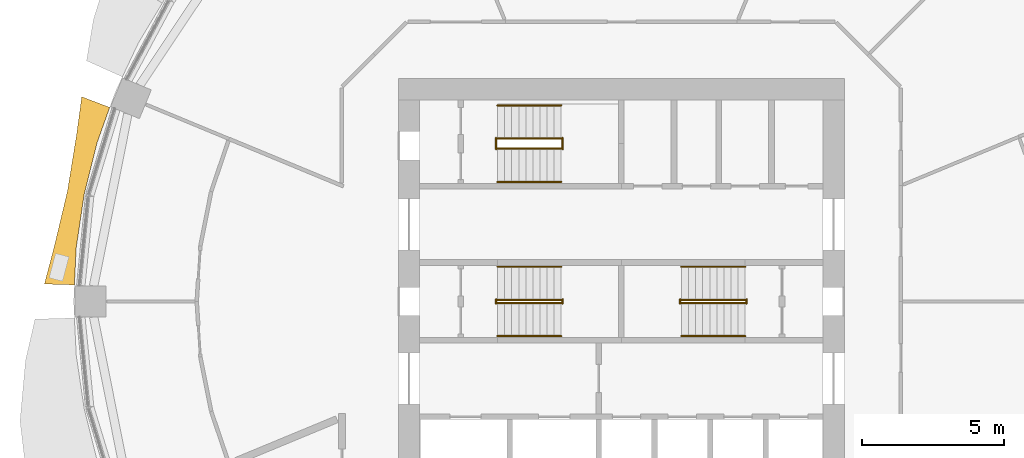
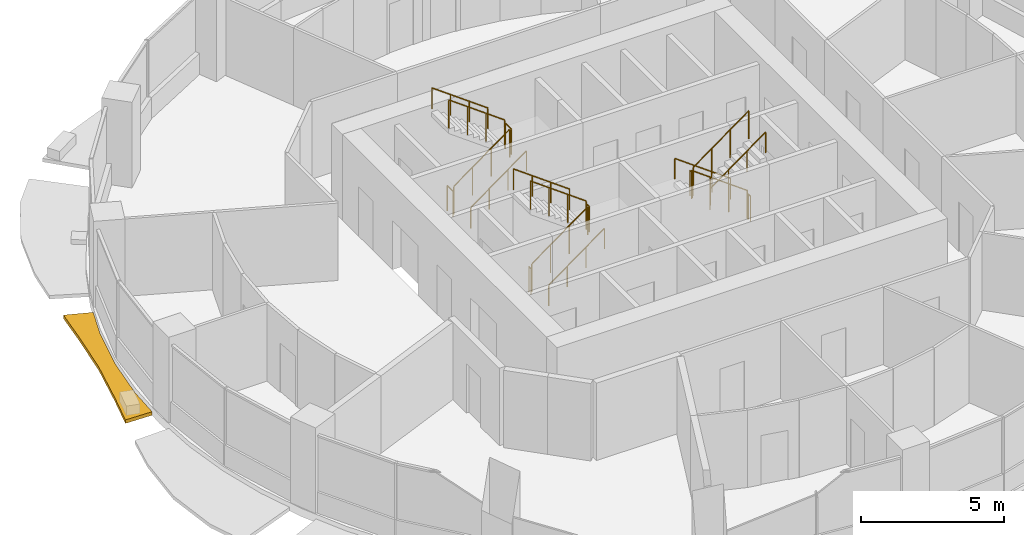
# One storey, part 13 of 15: 18 railings, 1 shading device.
"""IFC4 building model written with IfcOpenShell, lengths in metres."""

from ifc_helpers import new_model, si_unit, direction, frame, origin, origin_2d, place, context, subcontext, project, spatial, polyline, circle, outline, extrude, material, type_object, element, save


model = new_model("IFC4")

# Units and contexts
model_context = context("Model", 3, precision=1e-05, world=origin(), true_north=direction((0.0, 1.0)))
body_context = subcontext(model_context, "Body", "Model", "MODEL_VIEW")
ifc_project = project(units=[si_unit("LENGTHUNIT", "METRE"), si_unit("AREAUNIT", "SQUARE_METRE"), si_unit("VOLUMEUNIT", "CUBIC_METRE"), si_unit("PLANEANGLEUNIT", "RADIAN"), si_unit("MASSUNIT", "GRAM", prefix="KILO")], contexts=[model_context])

# Site, building, storey
site_placement = place(None, origin())
site = spatial("IfcSite", under=ifc_project, at=site_placement, CompositionType="ELEMENT")
building_placement = place(site_placement, origin())
building = spatial("IfcBuilding", under=site, at=building_placement, Name="Polderwave Tower", CompositionType="ELEMENT")
storey_placement = place(building_placement, frame((0.0, 0.0, 83.699951171875)))
storey = spatial("IfcBuildingStorey", under=building, at=storey_placement, Name="L21", CompositionType="ELEMENT", Elevation=83.699951171875)

# Railings
ifc_material_1 = material(Name="Stainless steel", Category="steel")
railing_type_1 = type_object("IfcRailingType", Name="Stair guard 1100", PredefinedType="GUARDRAIL", material=ifc_material_1)
railing_1_placement = place(storey_placement, frame((-4.3740234375, -0.051025390625, 0.0625)))
element("IfcRailing", 1, at=railing_1_placement, inside=storey, type_object=railing_type_1, Name="L21 ST-A stair guard 1", PredefinedType="GUARDRAIL", context=body_context, shape_type="SweptSolid", body=[
    extrude(circle(Radius=0.02392578125, at=origin_2d()), frame((0.0, 0.0, 1.1962890625), z_axis=(0.807715371301, 0.0, 0.589572623995), x_axis=(0.0, 1.0, 0.0)), (0.0, 0.0, 1.0), 2.78564453125),
    extrude(circle(Radius=0.02392578125, at=origin_2d()), origin(), (0.0, 0.0, 1.0), 1.172119140625),
    extrude(circle(Radius=0.02392578125, at=origin_2d()), frame((0.75, 0.0, 0.54736328125)), (0.0, 0.0, 1.0), 1.172119140625),
    extrude(circle(Radius=0.02392578125, at=origin_2d()), frame((1.5, 0.0, 1.094970703125)), (0.0, 0.0, 1.0), 1.172119140625),
    extrude(circle(Radius=0.02392578125, at=origin_2d()), frame((2.25, 0.0, 1.642333984375)), (0.0, 0.0, 1.0), 1.172119140625),
])
railing_2_placement = place(storey_placement, frame((-2.073974609375, -0.074951171875, 1.824951171875)))
element("IfcRailing", 2, at=railing_2_placement, inside=storey, type_object=railing_type_1, Name="L21 ST-A stair guard 2", PredefinedType="GUARDRAIL", context=body_context, shape_type="SweptSolid", body=[
    extrude(circle(Radius=0.02392578125, at=origin_2d()), frame((0.0, 0.0, 1.076171875), z_axis=(0.0, 1.0, 0.0), x_axis=(-1.0, 0.0, 0.0)), (0.0, 0.0, 1.0), 0.14990234375),
    extrude(circle(Radius=0.02099609375, at=origin_2d()), origin(), (0.0, 0.0, 1.0), 1.052001953125),
    extrude(circle(Radius=0.02099609375, at=origin_2d()), frame((0.0, 0.14990234375, 0.0)), (0.0, 0.0, 1.0), 1.052001953125),
])
railing_3_placement = place(storey_placement, frame((-2.1240234375, 0.051025390625, 1.887451171875)))
element("IfcRailing", 3, at=railing_3_placement, inside=storey, type_object=railing_type_1, Name="L21 ST-A stair guard 3", PredefinedType="GUARDRAIL", context=body_context, shape_type="SweptSolid", body=[
    extrude(circle(Radius=0.02392578125, at=origin_2d()), frame((0.0, 0.0, 1.1962890625), z_axis=(-0.807673635365, 0.0, 0.58962979804), x_axis=(0.0, -1.0, 0.0)), (0.0, 0.0, 1.0), 2.785888671875),
    extrude(circle(Radius=0.02392578125, at=origin_2d()), origin(), (0.0, 0.0, 1.0), 1.172119140625),
    extrude(circle(Radius=0.02392578125, at=origin_2d()), frame((-0.75, 0.0, 0.547607421875)), (0.0, 0.0, 1.0), 1.172119140625),
    extrude(circle(Radius=0.02392578125, at=origin_2d()), frame((-1.5, 0.0, 1.094970703125)), (0.0, 0.0, 1.0), 1.172119140625),
    extrude(circle(Radius=0.02392578125, at=origin_2d()), frame((-2.25, 0.0, 1.642578125)), (0.0, 0.0, 1.0), 1.172119140625),
])
railing_4_placement = place(storey_placement, frame((-4.424072265625, -0.074951171875, 0.0)))
element("IfcRailing", 4, at=railing_4_placement, inside=storey, type_object=railing_type_1, Name="L21 ST-A stair guard 4", PredefinedType="GUARDRAIL", context=body_context, shape_type="SweptSolid", body=[
    extrude(circle(Radius=0.02392578125, at=origin_2d()), frame((0.0, 0.0, 1.076171875), z_axis=(0.0, 1.0, 0.0), x_axis=(-1.0, 0.0, 0.0)), (0.0, 0.0, 1.0), 0.14990234375),
    extrude(circle(Radius=0.02099609375, at=origin_2d()), origin(), (0.0, 0.0, 1.0), 1.052001953125),
    extrude(circle(Radius=0.02099609375, at=origin_2d()), frame((0.0, 0.14990234375, 0.0)), (0.0, 0.0, 1.0), 1.052001953125),
])
railing_5_placement = place(storey_placement, frame((4.3740234375, 0.051025390625, 0.0625)))
element("IfcRailing", 5, at=railing_5_placement, inside=storey, type_object=railing_type_1, Name="L21 ST-B stair guard 1", PredefinedType="GUARDRAIL", context=body_context, shape_type="SweptSolid", body=[
    extrude(circle(Radius=0.02392578125, at=origin_2d()), frame((0.0, 0.0, 1.1962890625), z_axis=(-0.807715371301, 0.0, 0.589572623995), x_axis=(0.0, -1.0, 0.0)), (0.0, 0.0, 1.0), 2.78564453125),
    extrude(circle(Radius=0.02392578125, at=origin_2d()), origin(), (0.0, 0.0, 1.0), 1.172119140625),
    extrude(circle(Radius=0.02392578125, at=origin_2d()), frame((-0.75, 0.0, 0.54736328125)), (0.0, 0.0, 1.0), 1.172119140625),
    extrude(circle(Radius=0.02392578125, at=origin_2d()), frame((-1.5, 0.0, 1.094970703125)), (0.0, 0.0, 1.0), 1.172119140625),
    extrude(circle(Radius=0.02392578125, at=origin_2d()), frame((-2.25, 0.0, 1.642333984375)), (0.0, 0.0, 1.0), 1.172119140625),
])
railing_6_placement = place(storey_placement, frame((2.073974609375, 0.074951171875, 1.824951171875)))
element("IfcRailing", 6, at=railing_6_placement, inside=storey, type_object=railing_type_1, Name="L21 ST-B stair guard 2", PredefinedType="GUARDRAIL", context=body_context, shape_type="SweptSolid", body=[
    extrude(circle(Radius=0.02392578125, at=origin_2d()), frame((0.0, 0.0, 1.076171875), z_axis=(0.0, -1.0, 0.0), x_axis=(1.0, 0.0, 0.0)), (0.0, 0.0, 1.0), 0.14990234375),
    extrude(circle(Radius=0.02099609375, at=origin_2d()), origin(), (0.0, 0.0, 1.0), 1.052001953125),
    extrude(circle(Radius=0.02099609375, at=origin_2d()), frame((0.0, -0.14990234375, 0.0)), (0.0, 0.0, 1.0), 1.052001953125),
])
railing_7_placement = place(storey_placement, frame((2.1240234375, -0.051025390625, 1.887451171875)))
element("IfcRailing", 7, at=railing_7_placement, inside=storey, type_object=railing_type_1, Name="L21 ST-B stair guard 3", PredefinedType="GUARDRAIL", context=body_context, shape_type="SweptSolid", body=[
    extrude(circle(Radius=0.02392578125, at=origin_2d()), frame((0.0, 0.0, 1.1962890625), z_axis=(0.807673635365, 0.0, 0.58962979804), x_axis=(0.0, 1.0, 0.0)), (0.0, 0.0, 1.0), 2.785888671875),
    extrude(circle(Radius=0.02392578125, at=origin_2d()), origin(), (0.0, 0.0, 1.0), 1.172119140625),
    extrude(circle(Radius=0.02392578125, at=origin_2d()), frame((0.75, 0.0, 0.547607421875)), (0.0, 0.0, 1.0), 1.172119140625),
    extrude(circle(Radius=0.02392578125, at=origin_2d()), frame((1.5, 0.0, 1.094970703125)), (0.0, 0.0, 1.0), 1.172119140625),
    extrude(circle(Radius=0.02392578125, at=origin_2d()), frame((2.25, 0.0, 1.642578125)), (0.0, 0.0, 1.0), 1.172119140625),
])
railing_8_placement = place(storey_placement, frame((4.424072265625, 0.074951171875, 0.0)))
element("IfcRailing", 8, at=railing_8_placement, inside=storey, type_object=railing_type_1, Name="L21 ST-B stair guard 4", PredefinedType="GUARDRAIL", context=body_context, shape_type="SweptSolid", body=[
    extrude(circle(Radius=0.02392578125, at=origin_2d()), frame((0.0, 0.0, 1.076171875), z_axis=(0.0, -1.0, 0.0), x_axis=(1.0, 0.0, 0.0)), (0.0, 0.0, 1.0), 0.14990234375),
    extrude(circle(Radius=0.02099609375, at=origin_2d()), origin(), (0.0, 0.0, 1.0), 1.052001953125),
    extrude(circle(Radius=0.02099609375, at=origin_2d()), frame((0.0, -0.14990234375, 0.0)), (0.0, 0.0, 1.0), 1.052001953125),
])
railing_9_placement = place(storey_placement, frame((-4.3740234375, 5.39794921875, 0.0625)))
element("IfcRailing", 9, at=railing_9_placement, inside=storey, type_object=railing_type_1, Name="L21 ST-C stair guard 1", PredefinedType="GUARDRAIL", context=body_context, shape_type="SweptSolid", body=[
    extrude(circle(Radius=0.02392578125, at=origin_2d()), frame((0.0, 0.0, 1.1962890625), z_axis=(0.807715371301, 0.0, 0.589572623995), x_axis=(0.0, 1.0, 0.0)), (0.0, 0.0, 1.0), 2.78564453125),
    extrude(circle(Radius=0.02392578125, at=origin_2d()), origin(), (0.0, 0.0, 1.0), 1.172119140625),
    extrude(circle(Radius=0.02392578125, at=origin_2d()), frame((0.75, 0.0, 0.54736328125)), (0.0, 0.0, 1.0), 1.172119140625),
    extrude(circle(Radius=0.02392578125, at=origin_2d()), frame((1.5, 0.0, 1.094970703125)), (0.0, 0.0, 1.0), 1.172119140625),
    extrude(circle(Radius=0.02392578125, at=origin_2d()), frame((2.25, 0.0, 1.642333984375)), (0.0, 0.0, 1.0), 1.172119140625),
])
railing_10_placement = place(storey_placement, frame((-2.073974609375, 5.3740234375, 1.824951171875)))
element("IfcRailing", 10, at=railing_10_placement, inside=storey, type_object=railing_type_1, Name="L21 ST-C stair guard 2", PredefinedType="GUARDRAIL", context=body_context, shape_type="SweptSolid", body=[
    extrude(circle(Radius=0.02392578125, at=origin_2d()), frame((0.0, 0.0, 1.076171875), z_axis=(0.0, 1.0, 0.0), x_axis=(-1.0, 0.0, 0.0)), (0.0, 0.0, 1.0), 0.39990234375),
    extrude(circle(Radius=0.02099609375, at=origin_2d()), origin(), (0.0, 0.0, 1.0), 1.052001953125),
    extrude(circle(Radius=0.02099609375, at=origin_2d()), frame((0.0, 0.39990234375, 0.0)), (0.0, 0.0, 1.0), 1.052001953125),
])
railing_11_placement = place(storey_placement, frame((-2.1240234375, 5.75, 1.887451171875)))
element("IfcRailing", 11, at=railing_11_placement, inside=storey, type_object=railing_type_1, Name="L21 ST-C stair guard 3", PredefinedType="GUARDRAIL", context=body_context, shape_type="SweptSolid", body=[
    extrude(circle(Radius=0.02392578125, at=origin_2d()), frame((0.0, 0.0, 1.1962890625), z_axis=(-0.807673635365, 0.0, 0.58962979804), x_axis=(0.0, -1.0, 0.0)), (0.0, 0.0, 1.0), 2.785888671875),
    extrude(circle(Radius=0.02392578125, at=origin_2d()), origin(), (0.0, 0.0, 1.0), 1.172119140625),
    extrude(circle(Radius=0.02392578125, at=origin_2d()), frame((-0.75, 0.0, 0.547607421875)), (0.0, 0.0, 1.0), 1.172119140625),
    extrude(circle(Radius=0.02392578125, at=origin_2d()), frame((-1.5, 0.0, 1.094970703125)), (0.0, 0.0, 1.0), 1.172119140625),
    extrude(circle(Radius=0.02392578125, at=origin_2d()), frame((-2.25, 0.0, 1.642578125)), (0.0, 0.0, 1.0), 1.172119140625),
])
railing_12_placement = place(storey_placement, frame((-4.424072265625, 5.3740234375, 0.0)))
element("IfcRailing", 12, at=railing_12_placement, inside=storey, type_object=railing_type_1, Name="L21 ST-C stair guard 4", PredefinedType="GUARDRAIL", context=body_context, shape_type="SweptSolid", body=[
    extrude(circle(Radius=0.02392578125, at=origin_2d()), frame((0.0, 0.0, 1.076171875), z_axis=(0.0, 1.0, 0.0), x_axis=(-1.0, 0.0, 0.0)), (0.0, 0.0, 1.0), 0.39990234375),
    extrude(circle(Radius=0.02099609375, at=origin_2d()), origin(), (0.0, 0.0, 1.0), 1.052001953125),
    extrude(circle(Radius=0.02099609375, at=origin_2d()), frame((0.0, 0.39990234375, 0.0)), (0.0, 0.0, 1.0), 1.052001953125),
])
railing_type_2 = type_object("IfcRailingType", Name="Stair handrail 900", PredefinedType="HANDRAIL", material=ifc_material_1)
railing_13_placement = place(storey_placement, frame((-4.3740234375, -1.22509765625, 0.1826171875)))
element("IfcRailing", 13, at=railing_13_placement, inside=storey, type_object=railing_type_2, Name="L21 ST-A stair handrail 1", PredefinedType="HANDRAIL", context=body_context, shape_type="SweptSolid", body=[
    extrude(circle(Radius=0.02392578125, at=origin_2d()), frame((0.0, 0.0, 0.8759765625), z_axis=(0.807715371301, 0.0, 0.589572623995), x_axis=(0.0, 1.0, 0.0)), (0.0, 0.0, 1.0), 2.78564453125),
    extrude(circle(Radius=0.02099609375, at=origin_2d()), origin(), (0.0, 0.0, 1.0), 0.851806640625),
    extrude(circle(Radius=0.02099609375, at=origin_2d()), frame((0.75, 0.0, 0.54736328125)), (0.0, 0.0, 1.0), 0.851806640625),
    extrude(circle(Radius=0.02099609375, at=origin_2d()), frame((1.5, 0.0, 1.094970703125)), (0.0, 0.0, 1.0), 0.851806640625),
    extrude(circle(Radius=0.02099609375, at=origin_2d()), frame((2.25, 0.0, 1.642333984375)), (0.0, 0.0, 1.0), 0.851806640625),
])
railing_14_placement = place(storey_placement, frame((-2.1240234375, 1.22509765625, 2.007568359375)))
element("IfcRailing", 14, at=railing_14_placement, inside=storey, type_object=railing_type_2, Name="L21 ST-A stair handrail 2", PredefinedType="HANDRAIL", context=body_context, shape_type="SweptSolid", body=[
    extrude(circle(Radius=0.02392578125, at=origin_2d()), frame((0.0, 0.0, 0.8759765625), z_axis=(-0.807673635365, 0.0, 0.58962979804), x_axis=(0.0, -1.0, 0.0)), (0.0, 0.0, 1.0), 2.785888671875),
    extrude(circle(Radius=0.02099609375, at=origin_2d()), origin(), (0.0, 0.0, 1.0), 0.851806640625),
    extrude(circle(Radius=0.02099609375, at=origin_2d()), frame((-0.75, 0.0, 0.547607421875)), (0.0, 0.0, 1.0), 0.851806640625),
    extrude(circle(Radius=0.02099609375, at=origin_2d()), frame((-1.5, 0.0, 1.094970703125)), (0.0, 0.0, 1.0), 0.851806640625),
    extrude(circle(Radius=0.02099609375, at=origin_2d()), frame((-2.25, 0.0, 1.642578125)), (0.0, 0.0, 1.0), 0.851806640625),
])
railing_15_placement = place(storey_placement, frame((4.3740234375, 1.22509765625, 0.1826171875)))
element("IfcRailing", 15, at=railing_15_placement, inside=storey, type_object=railing_type_2, Name="L21 ST-B stair handrail 1", PredefinedType="HANDRAIL", context=body_context, shape_type="SweptSolid", body=[
    extrude(circle(Radius=0.02392578125, at=origin_2d()), frame((0.0, 0.0, 0.8759765625), z_axis=(-0.807715371301, 0.0, 0.589572623995), x_axis=(0.0, -1.0, 0.0)), (0.0, 0.0, 1.0), 2.78564453125),
    extrude(circle(Radius=0.02099609375, at=origin_2d()), origin(), (0.0, 0.0, 1.0), 0.851806640625),
    extrude(circle(Radius=0.02099609375, at=origin_2d()), frame((-0.75, 0.0, 0.54736328125)), (0.0, 0.0, 1.0), 0.851806640625),
    extrude(circle(Radius=0.02099609375, at=origin_2d()), frame((-1.5, 0.0, 1.094970703125)), (0.0, 0.0, 1.0), 0.851806640625),
    extrude(circle(Radius=0.02099609375, at=origin_2d()), frame((-2.25, 0.0, 1.642333984375)), (0.0, 0.0, 1.0), 0.851806640625),
])
railing_16_placement = place(storey_placement, frame((2.1240234375, -1.22509765625, 2.007568359375)))
element("IfcRailing", 16, at=railing_16_placement, inside=storey, type_object=railing_type_2, Name="L21 ST-B stair handrail 2", PredefinedType="HANDRAIL", context=body_context, shape_type="SweptSolid", body=[
    extrude(circle(Radius=0.02392578125, at=origin_2d()), frame((0.0, 0.0, 0.8759765625), z_axis=(0.807673635365, 0.0, 0.58962979804), x_axis=(0.0, 1.0, 0.0)), (0.0, 0.0, 1.0), 2.785888671875),
    extrude(circle(Radius=0.02099609375, at=origin_2d()), origin(), (0.0, 0.0, 1.0), 0.851806640625),
    extrude(circle(Radius=0.02099609375, at=origin_2d()), frame((0.75, 0.0, 0.547607421875)), (0.0, 0.0, 1.0), 0.851806640625),
    extrude(circle(Radius=0.02099609375, at=origin_2d()), frame((1.5, 0.0, 1.094970703125)), (0.0, 0.0, 1.0), 0.851806640625),
    extrude(circle(Radius=0.02099609375, at=origin_2d()), frame((2.25, 0.0, 1.642578125)), (0.0, 0.0, 1.0), 0.851806640625),
])
railing_17_placement = place(storey_placement, frame((-4.3740234375, 4.22412109375, 0.1826171875)))
element("IfcRailing", 17, at=railing_17_placement, inside=storey, type_object=railing_type_2, Name="L21 ST-C stair handrail 1", PredefinedType="HANDRAIL", context=body_context, shape_type="SweptSolid", body=[
    extrude(circle(Radius=0.02392578125, at=origin_2d()), frame((0.0, 0.0, 0.8759765625), z_axis=(0.807715371301, 0.0, 0.589572623995), x_axis=(0.0, 1.0, 0.0)), (0.0, 0.0, 1.0), 2.78564453125),
    extrude(circle(Radius=0.02099609375, at=origin_2d()), origin(), (0.0, 0.0, 1.0), 0.851806640625),
    extrude(circle(Radius=0.02099609375, at=origin_2d()), frame((0.75, 0.0, 0.54736328125)), (0.0, 0.0, 1.0), 0.851806640625),
    extrude(circle(Radius=0.02099609375, at=origin_2d()), frame((1.5, 0.0, 1.094970703125)), (0.0, 0.0, 1.0), 0.851806640625),
    extrude(circle(Radius=0.02099609375, at=origin_2d()), frame((2.25, 0.0, 1.642333984375)), (0.0, 0.0, 1.0), 0.851806640625),
])
railing_18_placement = place(storey_placement, frame((-2.1240234375, 6.924072265625, 2.007568359375)))
element("IfcRailing", 18, at=railing_18_placement, inside=storey, type_object=railing_type_2, Name="L21 ST-C stair handrail 2", PredefinedType="HANDRAIL", context=body_context, shape_type="SweptSolid", body=[
    extrude(circle(Radius=0.02392578125, at=origin_2d()), frame((0.0, 0.0, 0.8759765625), z_axis=(-0.807673635365, 0.0, 0.58962979804), x_axis=(0.0, -1.0, 0.0)), (0.0, 0.0, 1.0), 2.785888671875),
    extrude(circle(Radius=0.02099609375, at=origin_2d()), origin(), (0.0, 0.0, 1.0), 0.851806640625),
    extrude(circle(Radius=0.02099609375, at=origin_2d()), frame((-0.75, 0.0, 0.547607421875)), (0.0, 0.0, 1.0), 0.851806640625),
    extrude(circle(Radius=0.02099609375, at=origin_2d()), frame((-1.5, 0.0, 1.094970703125)), (0.0, 0.0, 1.0), 0.851806640625),
    extrude(circle(Radius=0.02099609375, at=origin_2d()), frame((-2.25, 0.0, 1.642578125)), (0.0, 0.0, 1.0), 0.851806640625),
])

# Shading device
ifc_material_2 = material(Name="Terracotta", Category="masonry")
shading_device_type = type_object("IfcShadingDeviceType", Name="Terracotta sunshade band", PredefinedType="USERDEFINED", material=ifc_material_2)
shading_device_placement = place(storey_placement, frame((0.0, 0.0, -0.349853515625)))
element("IfcShadingDevice", 19, at=shading_device_placement, inside=storey, type_object=shading_device_type, Name="Sunshade band L21 8", ObjectType="SUNSHADE", PredefinedType="USERDEFINED", context=body_context, shape_type="SweptSolid", body=[
    extrude(outline(polyline([(-18.073974609375, 6.8544921875), (-18.516845703125, 5.616943359375), (-18.978271484375, 3.77490234375), (-19.2568359375, 1.896484375), (-19.3212890625, 0.583984375), (-20.379638671875, 0.615966796875), (-20.02294921875, 1.97216796875), (-19.566650390625, 3.89208984375), (-19.2509765625, 5.839599609375), (-19.060546875, 7.228759765625), (-18.073974609375, 6.8544921875)])), origin(), (0.0, 0.0, 1.0), 0.14990234375),
])

save(model, "model.ifc")
